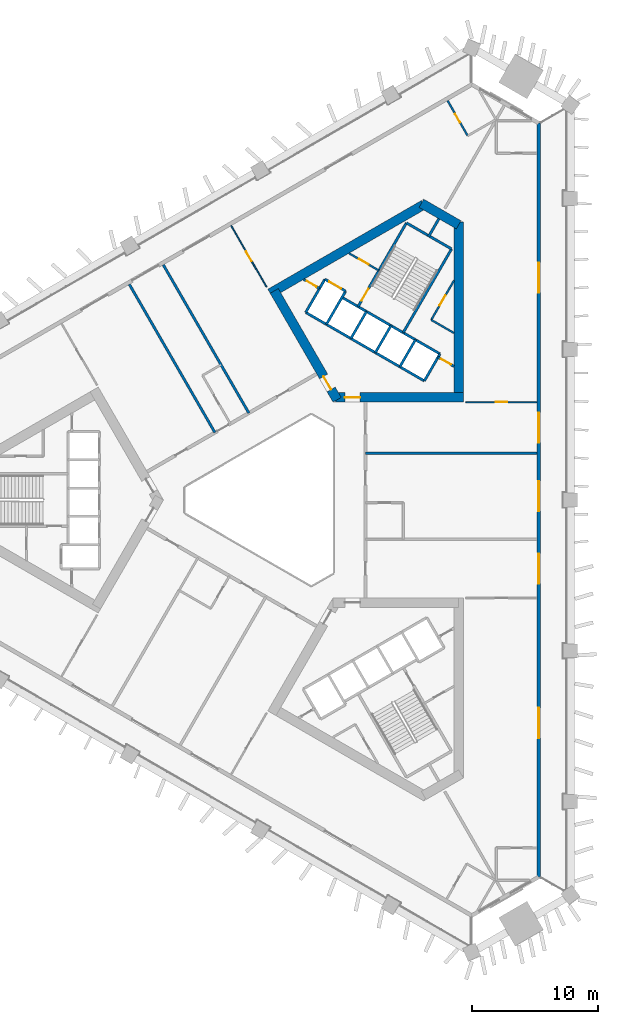
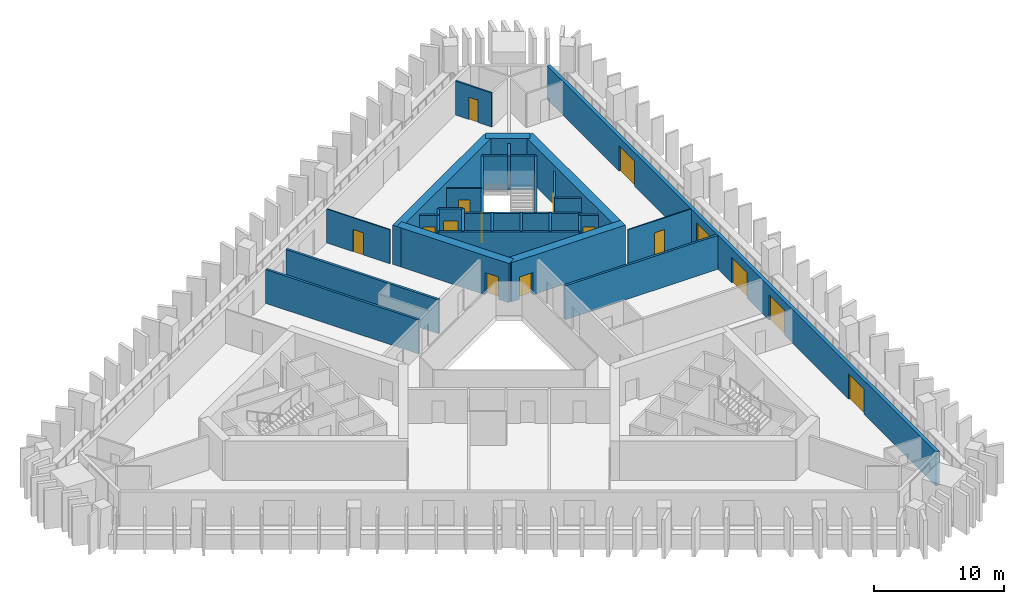
# One storey, part 6 of 11: 30 walls, 16 doors, 16 openings.
"""IFC4 building model written with IfcOpenShell, lengths in metres."""

from ifc_helpers import new_model, si_unit, direction, frame, frame_2d, origin, place, context, subcontext, project, spatial, rectangle, extrude, material, layer, layer_set, type_object, element, fill, save


model = new_model("IFC4")

# Units and contexts
model_context = context("Model", 3, precision=1e-05, world=origin(), true_north=direction((0.0, 1.0)))
body_context = subcontext(model_context, "Body", "Model", "MODEL_VIEW")
ifc_project = project(units=[si_unit("LENGTHUNIT", "METRE"), si_unit("AREAUNIT", "SQUARE_METRE"), si_unit("VOLUMEUNIT", "CUBIC_METRE"), si_unit("PLANEANGLEUNIT", "RADIAN"), si_unit("MASSUNIT", "GRAM", prefix="KILO")], contexts=[model_context])

# Site, building, storey
site_placement = place(None, origin())
site = spatial("IfcSite", under=ifc_project, at=site_placement, CompositionType="ELEMENT")
building_placement = place(site_placement, origin())
building = spatial("IfcBuilding", under=site, at=building_placement, Name="Jabali Bay Hotel Tower and Convention Centre", CompositionType="ELEMENT")
storey_placement = place(building_placement, frame((0.0, 0.0, 61.0)))
storey = spatial("IfcBuildingStorey", under=building, at=storey_placement, Name="L13", CompositionType="ELEMENT", Elevation=61.0)

# Wall
ifc_material_1 = material(Name="Concrete C40", Category="concrete")
ifc_layer_1 = layer(ifc_material_1, 0.199951171875)
ifc_layer_set_1 = layer_set([ifc_layer_1], Name="Concrete C40")
wall_type_1 = type_object("IfcWallType", Name="Core partition wall 200", PredefinedType="PARTITIONING", material=ifc_layer_set_1)
wall_1_placement = place(storey_placement, frame((87.090087890625, 100.9404296875, 0.0), z_axis=(0.0, 0.0, 1.0), x_axis=(0.499937194881, 0.866061661301, 0.0)))
element("IfcWall", 1, at=wall_1_placement, inside=storey, type_object=wall_type_1, Name="Core wall 1.5 L13", PredefinedType="PARTITIONING", context=body_context, shape_type="SweptSolid", body=[
    extrude(rectangle(XDim=1.673095703125, YDim=0.199951171875, at=frame_2d((0.83642578125, 0.0))), origin(), (0.0, 0.0, 1.0), 3.199951171875),
])

# Wall, opening, door
wall_2_placement = place(storey_placement, frame((89.130126953125, 90.640625, 0.0), z_axis=(0.0, 0.0, 1.0), x_axis=(-0.866094119867, 0.499880961361, 0.0)))
wall_2 = element("IfcWall", 2, at=wall_2_placement, inside=storey, type_object=wall_type_1, Name="Core wall 1.11 L13", PredefinedType="PARTITIONING", context=body_context, shape_type="SweptSolid", body=[
    extrude(rectangle(XDim=1.466552734375, YDim=0.199951171875, at=frame_2d((0.7333984375, 0.0))), origin(), (0.0, 0.0, 1.0), 3.199951171875),
])
opening_1_placement = place(wall_2_placement, frame((0.283447265625, 0.0, 0.0)))
opening_1 = element("IfcOpeningElement", 3, at=opening_1_placement, cuts=wall_2, Name="Opening D356", PredefinedType="OPENING", context=body_context, shape_type="SweptSolid", body=[
    extrude(rectangle(XDim=0.89990234375, YDim=2.10009765625, at=frame_2d((0.449951171875, 1.050048828125))), frame((0.0, 0.1103515625, 0.0), z_axis=(0.0, -1.0, 0.0), x_axis=(1.0, 0.0, 0.0)), (0.0, 0.0, 1.0), 0.220947265625),
])
ifc_material_2 = material(Name="Fire-rated steel door", Category="steel")
door_type_1 = type_object("IfcDoorType", Name="Vestibule fire door 900 x 2100", OperationType="NOTDEFINED", PredefinedType="NOTDEFINED", material=ifc_material_2)
door_1_placement = place(opening_1_placement, origin())
door_1 = element("IfcDoor", 4, at=door_1_placement, inside=storey, type_object=door_type_1, Name="Vestibule fire door D356", OperationType="SINGLE_SWING_LEFT", OverallHeight=2.10009765625, OverallWidth=0.89990234375, PredefinedType="NOTDEFINED", context=body_context, shape_type="SweptSolid", body=[
    extrude(rectangle(XDim=0.89990234375, YDim=2.10009765625, at=frame_2d((0.449951171875, 1.050048828125))), frame((0.0, 0.02490234375, 0.0), z_axis=(0.0, -1.0, 0.0), x_axis=(1.0, 0.0, 0.0)), (0.0, 0.0, 1.0), 0.050048828125),
])
fill(opening_1, door_1)

wall_3_placement = place(storey_placement, frame((78.43017578125, 96.84130859375, 0.0), z_axis=(0.0, 0.0, 1.0), x_axis=(-0.866045896294, 0.499964504253, 0.0)))
wall_3 = element("IfcWall", 5, at=wall_3_placement, inside=storey, type_object=wall_type_1, Name="Core wall 1.12 L13", PredefinedType="PARTITIONING", context=body_context, shape_type="SweptSolid", body=[
    extrude(rectangle(XDim=1.455078125, YDim=0.199951171875, at=frame_2d((0.7275390625, 0.0))), origin(), (0.0, 0.0, 1.0), 3.199951171875),
])
opening_2_placement = place(wall_3_placement, frame((0.277587890625, 0.0, 0.0)))
opening_2 = element("IfcOpeningElement", 6, at=opening_2_placement, cuts=wall_3, Name="Opening D355", PredefinedType="OPENING", context=body_context, shape_type="SweptSolid", body=[
    extrude(rectangle(XDim=0.89990234375, YDim=2.10009765625, at=frame_2d((0.449951171875, 1.050048828125))), frame((0.0, 0.1103515625, 0.0), z_axis=(0.0, -1.0, 0.0), x_axis=(1.0, 0.0, 0.0)), (0.0, 0.0, 1.0), 0.220947265625),
])
door_2_placement = place(opening_2_placement, origin())
door_2 = element("IfcDoor", 7, at=door_2_placement, inside=storey, type_object=door_type_1, Name="Vestibule fire door D355", OperationType="SINGLE_SWING_LEFT", OverallHeight=2.10009765625, OverallWidth=0.89990234375, PredefinedType="NOTDEFINED", context=body_context, shape_type="SweptSolid", body=[
    extrude(rectangle(XDim=0.89990234375, YDim=2.10009765625, at=frame_2d((0.449951171875, 1.050048828125))), frame((0.0, 0.02490234375, 0.0), z_axis=(0.0, -1.0, 0.0), x_axis=(1.0, 0.0, 0.0)), (0.0, 0.0, 1.0), 0.050048828125),
])
fill(opening_2, door_2)

ifc_material_3 = material(Name="Fire-rated board partition")
ifc_layer_2 = layer(ifc_material_3, 0.14990234375)
ifc_layer_set_2 = layer_set([ifc_layer_2], Name="Fire-rated board partition")
wall_type_2 = type_object("IfcWallType", Name="Core room partition 150", PredefinedType="PARTITIONING", material=ifc_layer_set_2)
wall_4_placement = place(storey_placement, frame((87.321044921875, 94.3408203125, 0.0), z_axis=(0.0, 0.0, 1.0), x_axis=(0.499993116331, 0.866029378036, 0.0)))
wall_4 = element("IfcWall", 8, at=wall_4_placement, inside=storey, type_object=wall_type_2, Name="Core wall 1.1 L13", PredefinedType="PARTITIONING", context=body_context, shape_type="SweptSolid", body=[
    extrude(rectangle(XDim=3.61767578125, YDim=0.14990234375, at=frame_2d((1.808837890625, 0.0))), origin(), (0.0, 0.0, 1.0), 3.199951171875),
])
opening_3_placement = place(wall_4_placement, frame((1.33154296875, 0.0, 0.0)))
opening_3 = element("IfcOpeningElement", 9, at=opening_3_placement, cuts=wall_4, Name="Opening D358", PredefinedType="OPENING", context=body_context, shape_type="SweptSolid", body=[
    extrude(rectangle(XDim=0.89990234375, YDim=2.10009765625, at=frame_2d((0.449951171875, 1.050048828125))), frame((0.0, 0.08544921875, 0.0), z_axis=(0.0, -1.0, 0.0), x_axis=(1.0, 0.0, 0.0)), (0.0, 0.0, 1.0), 0.1708984375),
])
door_type_2 = type_object("IfcDoorType", Name="Core room door 900 x 2100", OperationType="NOTDEFINED", PredefinedType="NOTDEFINED", material=ifc_material_2)
door_3_placement = place(opening_3_placement, origin())
door_3 = element("IfcDoor", 10, at=door_3_placement, inside=storey, type_object=door_type_2, Name="Core room door D358", OperationType="SINGLE_SWING_LEFT", OverallHeight=2.10009765625, OverallWidth=0.89990234375, PredefinedType="NOTDEFINED", context=body_context, shape_type="SweptSolid", body=[
    extrude(rectangle(XDim=0.89990234375, YDim=2.10009765625, at=frame_2d((0.449951171875, 1.050048828125))), frame((0.0, 0.02490234375, 0.0), z_axis=(0.0, -1.0, 0.0), x_axis=(1.0, 0.0, 0.0)), (0.0, 0.0, 1.0), 0.050048828125),
])
fill(opening_3, door_3)

# Wall
wall_5_placement = place(storey_placement, frame((89.130126953125, 93.29638671875, 0.0), z_axis=(0.0, 0.0, 1.0), x_axis=(-0.866033778982, 0.499985493453, 0.0)))
element("IfcWall", 11, at=wall_5_placement, inside=storey, type_object=wall_type_2, Name="Core wall 1.15 L13", PredefinedType="PARTITIONING", context=body_context, shape_type="SweptSolid", body=[
    extrude(rectangle(XDim=2.0888671875, YDim=0.14990234375, at=frame_2d((1.04443359375, 0.0))), origin(), (0.0, 0.0, 1.0), 3.199951171875),
])

# Wall, opening, door
wall_6_placement = place(storey_placement, frame((83.153076171875, 98.271484375, 0.0), z_axis=(0.0, 0.0, 1.0), x_axis=(-0.866045226484, 0.499965664505, 0.0)))
wall_6 = element("IfcWall", 12, at=wall_6_placement, inside=storey, type_object=wall_type_2, Name="Core wall 1.16 L13", PredefinedType="PARTITIONING", context=body_context, shape_type="SweptSolid", body=[
    extrude(rectangle(XDim=2.751708984375, YDim=0.14990234375, at=frame_2d((1.3759765625, 0.0))), origin(), (0.0, 0.0, 1.0), 3.199951171875),
])
opening_4_placement = place(wall_6_placement, frame((0.92578125, 0.0, 0.0)))
opening_4 = element("IfcOpeningElement", 13, at=opening_4_placement, cuts=wall_6, Name="Opening D354", PredefinedType="OPENING", context=body_context, shape_type="SweptSolid", body=[
    extrude(rectangle(XDim=0.89990234375, YDim=2.10009765625, at=frame_2d((0.449951171875, 1.050048828125))), frame((0.0, 0.08544921875, 0.0), z_axis=(0.0, -1.0, 0.0), x_axis=(1.0, 0.0, 0.0)), (0.0, 0.0, 1.0), 0.1708984375),
])
door_4_placement = place(opening_4_placement, origin())
door_4 = element("IfcDoor", 14, at=door_4_placement, inside=storey, type_object=door_type_2, Name="Core room door D354", OperationType="SINGLE_SWING_LEFT", OverallHeight=2.10009765625, OverallWidth=0.89990234375, PredefinedType="NOTDEFINED", context=body_context, shape_type="SweptSolid", body=[
    extrude(rectangle(XDim=0.89990234375, YDim=2.10009765625, at=frame_2d((0.449951171875, 1.050048828125))), frame((0.0, 0.02490234375, 0.0), z_axis=(0.0, -1.0, 0.0), x_axis=(1.0, 0.0, 0.0)), (0.0, 0.0, 1.0), 0.050048828125),
])
fill(opening_4, door_4)

# Walls
ifc_layer_3 = layer(ifc_material_1, 0.199951171875)
ifc_layer_set_3 = layer_set([ifc_layer_3], Name="Concrete C40")
wall_type_3 = type_object("IfcWallType", Name="Core stair wall 200", PredefinedType="SOLIDWALL", material=ifc_layer_set_3)
for number, where, z_axis, x_axis, name in (
    (15, (86.769775390625, 89.48583984375, 0.0), (0.0, 0.0, 1.0), (0.499961042966, 0.86604789447, 0.0), "Core wall 1.0 L13"),
    (16, (84.8212890625, 90.61083984375, 0.0), (0.0, 0.0, 1.0), (0.499961042966, 0.86604789447, 0.0), "Core wall 1.2 L13"),
):
    element("IfcWall", number, at=place(storey_placement, frame(where, z_axis=z_axis, x_axis=x_axis)), inside=storey, type_object=wall_type_3, Name=name, PredefinedType="SOLIDWALL", context=body_context, shape_type="SweptSolid", body=[
        extrude(rectangle(XDim=2.480224609375, YDim=0.199951171875, at=frame_2d((1.240234375, 0.0))), origin(), (0.0, 0.0, 1.0), 3.199951171875),
    ])
wall_7_placement = place(storey_placement, frame((85.0869140625, 93.3212890625, 0.0), z_axis=(0.0, 0.0, 1.0), x_axis=(0.500019787375, 0.866013979237, 0.0)))
element("IfcWall", 17, at=wall_7_placement, inside=storey, type_object=wall_type_3, Name="Core wall 1.3 L13", PredefinedType="SOLIDWALL", context=body_context, shape_type="SweptSolid", body=[
    extrude(rectangle(XDim=7.699951171875, YDim=0.199951171875, at=frame_2d((3.85009765625, 0.0))), origin(), (0.0, 0.0, 1.0), 3.199951171875),
])
for number, where, z_axis, x_axis, name in (
    (18, (82.872802734375, 91.73583984375, 0.0), (0.0, 0.0, 1.0), (0.499961042966, 0.86604789447, 0.0), "Core wall 1.4 L13"),
    (19, (80.924072265625, 92.86083984375, 0.0), (0.0, 0.0, 1.0), (0.499961042966, 0.86604789447, 0.0), "Core wall 1.6 L13"),
):
    element("IfcWall", number, at=place(storey_placement, frame(where, z_axis=z_axis, x_axis=x_axis)), inside=storey, type_object=wall_type_3, Name=name, PredefinedType="SOLIDWALL", context=body_context, shape_type="SweptSolid", body=[
        extrude(rectangle(XDim=2.480224609375, YDim=0.199951171875, at=frame_2d((1.240234375, 0.0))), origin(), (0.0, 0.0, 1.0), 3.199951171875),
    ])

# Wall, opening, door
wall_8_placement = place(storey_placement, frame((81.492919921875, 95.396240234375, 0.0), z_axis=(0.0, 0.0, 1.0), x_axis=(0.500006057782, 0.866021906294, 0.0)))
wall_8 = element("IfcWall", 20, at=wall_8_placement, inside=storey, type_object=wall_type_3, Name="Core wall 1.7 L13", PredefinedType="SOLIDWALL", context=body_context, shape_type="SweptSolid", body=[
    extrude(rectangle(XDim=7.7001953125, YDim=0.199951171875, at=frame_2d((3.85009765625, 0.0))), origin(), (0.0, 0.0, 1.0), 3.199951171875),
])
opening_5_placement = place(wall_8_placement, frame((0.550048828125, 0.0, 0.0)))
opening_5 = element("IfcOpeningElement", 21, at=opening_5_placement, cuts=wall_8, Name="Opening D357", PredefinedType="OPENING", context=body_context, shape_type="SweptSolid", body=[
    extrude(rectangle(XDim=1.10009765625, YDim=2.10009765625, at=frame_2d((0.550048828125, 1.050048828125))), frame((0.0, 0.1103515625, 0.0), z_axis=(0.0, -1.0, 0.0), x_axis=(1.0, 0.0, 0.0)), (0.0, 0.0, 1.0), 0.220947265625),
])
door_type_3 = type_object("IfcDoorType", Name="Stair fire door 1100 x 2100", OperationType="NOTDEFINED", PredefinedType="NOTDEFINED", material=ifc_material_2)
door_5_placement = place(opening_5_placement, origin())
door_5 = element("IfcDoor", 22, at=door_5_placement, inside=storey, type_object=door_type_3, Name="Stair fire door D357", OperationType="SINGLE_SWING_RIGHT", OverallHeight=2.10009765625, OverallWidth=1.10009765625, PredefinedType="NOTDEFINED", context=body_context, shape_type="SweptSolid", body=[
    extrude(rectangle(XDim=1.10009765625, YDim=2.10009765625, at=frame_2d((0.550048828125, 1.050048828125))), frame((0.0, 0.02490234375, 0.0), z_axis=(0.0, -1.0, 0.0), x_axis=(1.0, 0.0, 0.0)), (0.0, 0.0, 1.0), 0.050048828125),
])
fill(opening_5, door_5)

# Walls
for number, where, z_axis, x_axis, name in (
    (23, (78.9755859375, 93.98583984375, 0.0), (0.0, 0.0, 1.0), (0.499944174705, 0.866057632134, 0.0), "Core wall 1.8 L13"),
    (24, (77.330078125, 94.93603515625, 0.0), (0.0, 0.0, 1.0), (0.500038867431, 0.8660029625, 0.0), "Core wall 1.9 L13"),
):
    element("IfcWall", number, at=place(storey_placement, frame(where, z_axis=z_axis, x_axis=x_axis)), inside=storey, type_object=wall_type_3, Name=name, PredefinedType="SOLIDWALL", context=body_context, shape_type="SweptSolid", body=[
        extrude(rectangle(XDim=3.050048828125, YDim=0.199951171875, at=frame_2d((1.52490234375, 0.0))), origin(), (0.0, 0.0, 1.0), 3.199951171875),
    ])
wall_9_placement = place(storey_placement, frame((86.769775390625, 89.48583984375, 0.0), z_axis=(0.0, 0.0, 1.0), x_axis=(-0.86601811187, 0.500012629753, 0.0)))
element("IfcWall", 25, at=wall_9_placement, inside=storey, type_object=wall_type_3, Name="Core wall 1.10 L13", PredefinedType="SOLIDWALL", context=body_context, shape_type="SweptSolid", body=[
    extrude(rectangle(XDim=10.900146484375, YDim=0.199951171875, at=frame_2d((5.4501953125, 0.0))), origin(), (0.0, 0.0, 1.0), 3.199951171875),
])
wall_10_placement = place(storey_placement, frame((88.009765625, 91.6337890625, 0.0), z_axis=(0.0, 0.0, 1.0), x_axis=(-0.866024315419, 0.5000018851, 0.0)))
element("IfcWall", 26, at=wall_10_placement, inside=storey, type_object=wall_type_3, Name="Core wall 1.13 L13", PredefinedType="SOLIDWALL", context=body_context, shape_type="SweptSolid", body=[
    extrude(rectangle(XDim=9.0, YDim=0.199951171875, at=frame_2d((4.5, 0.0))), origin(), (0.0, 0.0, 1.0), 3.199951171875),
])

# Wall, opening, door
wall_11_placement = place(storey_placement, frame((80.50048828125, 96.62744140625, 0.0), z_axis=(0.0, 0.0, 1.0), x_axis=(-0.86601224135, 0.500022797313, 0.0)))
wall_11 = element("IfcWall", 27, at=wall_11_placement, inside=storey, type_object=wall_type_3, Name="Core wall 1.14 L13", PredefinedType="SOLIDWALL", context=body_context, shape_type="SweptSolid", body=[
    extrude(rectangle(XDim=1.89990234375, YDim=0.199951171875, at=frame_2d((0.949951171875, 0.0))), origin(), (0.0, 0.0, 1.0), 3.199951171875),
])
opening_6_placement = place(wall_11_placement, frame((0.39990234375, 0.0, 0.0)))
opening_6 = element("IfcOpeningElement", 28, at=opening_6_placement, cuts=wall_11, Name="Opening LD10-L13", PredefinedType="OPENING", context=body_context, shape_type="SweptSolid", body=[
    extrude(rectangle(XDim=1.10009765625, YDim=2.10009765625, at=frame_2d((0.550048828125, 1.050048828125))), frame((0.0, 0.1103515625, 0.0), z_axis=(0.0, -1.0, 0.0), x_axis=(1.0, 0.0, 0.0)), (0.0, 0.0, 1.0), 0.220947265625),
])
ifc_material_4 = material(Name="Stainless steel landing door", Category="steel")
door_type_4 = type_object("IfcDoorType", Name="Landing door 1100 x 2100", OperationType="NOTDEFINED", PredefinedType="NOTDEFINED", material=ifc_material_4)
door_6_placement = place(opening_6_placement, origin())
door_6 = element("IfcDoor", 29, at=door_6_placement, inside=storey, type_object=door_type_4, Name="Landing doors LD10-L13", OperationType="SLIDING_TO_RIGHT", OverallHeight=2.10009765625, OverallWidth=1.10009765625, PredefinedType="NOTDEFINED", context=body_context, shape_type="SweptSolid", body=[
    extrude(rectangle(XDim=1.10009765625, YDim=2.10009765625, at=frame_2d((0.550048828125, 1.050048828125))), frame((0.0, 0.02490234375, 0.0), z_axis=(0.0, -1.0, 0.0), x_axis=(1.0, 0.0, 0.0)), (0.0, 0.0, 1.0), 0.050048828125),
])
fill(opening_6, door_6)

# Wall
wall_12_placement = place(storey_placement, frame((88.93701171875, 99.989501953125, 0.0), z_axis=(0.0, 0.0, 1.0), x_axis=(-0.866004344652, 0.500036473714, 0.0)))
element("IfcWall", 30, at=wall_12_placement, inside=storey, type_object=wall_type_3, Name="Core wall 1.17 L13", PredefinedType="SOLIDWALL", context=body_context, shape_type="SweptSolid", body=[
    extrude(rectangle(XDim=4.150146484375, YDim=0.199951171875, at=frame_2d((2.0751953125, 0.0))), origin(), (0.0, 0.0, 1.0), 3.199951171875),
])

# Wall, opening, door
ifc_material_5 = material(Name="Concrete C60", Category="concrete")
ifc_layer_4 = layer(ifc_material_5, 0.75)
ifc_layer_set_4 = layer_set([ifc_layer_4], Name="Concrete C60")
wall_type_4 = type_object("IfcWallType", Name="Core wall 750", PredefinedType="SHEAR", material=ifc_layer_set_4)
wall_13_placement = place(storey_placement, frame((79.716552734375, 88.169189453125, 0.0), z_axis=(0.0, 0.0, 1.0), x_axis=(1.0, 0.0, 0.0)))
wall_13 = element("IfcWall", 31, at=wall_13_placement, inside=storey, type_object=wall_type_4, Name="Core wall 2.1 L13", PredefinedType="SHEAR", context=body_context, shape_type="SweptSolid", body=[
    extrude(rectangle(XDim=10.163330078125, YDim=0.75, at=frame_2d((5.08154296875, 0.0))), origin(), (0.0, 0.0, 1.0), 3.699951171875),
])
opening_7_placement = place(wall_13_placement, frame((0.7333984375, 0.0, 0.0)))
opening_7 = element("IfcOpeningElement", 32, at=opening_7_placement, cuts=wall_13, Name="Opening D352", PredefinedType="OPENING", context=body_context, shape_type="SweptSolid", body=[
    extrude(rectangle(XDim=1.199951171875, YDim=2.10009765625, at=frame_2d((0.60009765625, 1.050048828125))), frame((0.0, 0.385498046875, 0.0), z_axis=(0.0, -1.0, 0.0), x_axis=(1.0, 0.0, 0.0)), (0.0, 0.0, 1.0), 0.77099609375),
])
door_type_5 = type_object("IfcDoorType", Name="Corridor end fire door 1200 x 2100", OperationType="NOTDEFINED", PredefinedType="NOTDEFINED", material=ifc_material_2)
door_7_placement = place(opening_7_placement, origin())
door_7 = element("IfcDoor", 33, at=door_7_placement, inside=storey, type_object=door_type_5, Name="Corridor end fire door D352", OperationType="SINGLE_SWING_RIGHT", OverallHeight=2.10009765625, OverallWidth=1.199951171875, PredefinedType="NOTDEFINED", context=body_context, shape_type="SweptSolid", body=[
    extrude(rectangle(XDim=1.199951171875, YDim=2.10009765625, at=frame_2d((0.60009765625, 1.050048828125))), frame((0.0, 0.02490234375, 0.0), z_axis=(0.0, -1.0, 0.0), x_axis=(1.0, 0.0, 0.0)), (0.0, 0.0, 1.0), 0.050048828125),
])
fill(opening_7, door_7)

# Walls
wall_14_placement = place(storey_placement, frame((89.5048828125, 88.169189453125, 0.0), z_axis=(0.0, 0.0, 1.0), x_axis=(0.0, 1.0, 0.0)))
element("IfcWall", 34, at=wall_14_placement, inside=storey, type_object=wall_type_4, Name="Core wall 2.2 L13", PredefinedType="SHEAR", context=body_context, shape_type="SweptSolid", body=[
    extrude(rectangle(XDim=13.95849609375, YDim=0.75, at=frame_2d((6.979248046875, 0.0))), origin(), (0.0, 0.0, 1.0), 3.699951171875),
])
wall_15_placement = place(storey_placement, frame((89.5048828125, 101.9111328125, 0.0), z_axis=(0.0, 0.0, 1.0), x_axis=(-0.866017201164, 0.500014207086, 0.0)))
element("IfcWall", 35, at=wall_15_placement, inside=storey, type_object=wall_type_4, Name="Core wall 2.3 L13", PredefinedType="SHEAR", context=body_context, shape_type="SweptSolid", body=[
    extrude(rectangle(XDim=3.4287109375, YDim=0.75, at=frame_2d((1.71435546875, 0.0))), origin(), (0.0, 0.0, 1.0), 3.699951171875),
])
wall_16_placement = place(storey_placement, frame((86.72314453125, 103.517333984375, 0.0), z_axis=(0.0, 0.0, 1.0), x_axis=(-0.866020851292, -0.500007885066, 0.0)))
element("IfcWall", 36, at=wall_16_placement, inside=storey, type_object=wall_type_4, Name="Core wall 2.4 L13", PredefinedType="SHEAR", context=body_context, shape_type="SweptSolid", body=[
    extrude(rectangle(XDim=14.116943359375, YDim=0.75, at=frame_2d((7.05859375, 0.0))), origin(), (0.0, 0.0, 1.0), 3.699951171875),
])

# Wall, opening, door
wall_17_placement = place(storey_placement, frame((74.822265625, 96.646240234375, 0.0), z_axis=(0.0, 0.0, 1.0), x_axis=(0.499997052475, -0.866027105532, 0.0)))
wall_17 = element("IfcWall", 37, at=wall_17_placement, inside=storey, type_object=wall_type_4, Name="Core wall 2.5 L13", PredefinedType="SHEAR", context=body_context, shape_type="SweptSolid", body=[
    extrude(rectangle(XDim=10.0048828125, YDim=0.75, at=frame_2d((5.00244140625, 0.0))), origin(), (0.0, 0.0, 1.0), 3.699951171875),
])
opening_8_placement = place(wall_17_placement, frame((7.85498046875, 0.0, 0.0)))
opening_8 = element("IfcOpeningElement", 38, at=opening_8_placement, cuts=wall_17, Name="Opening D353", PredefinedType="OPENING", context=body_context, shape_type="SweptSolid", body=[
    extrude(rectangle(XDim=1.199951171875, YDim=2.10009765625, at=frame_2d((0.60009765625, 1.050048828125))), frame((0.0, 0.385498046875, 0.0), z_axis=(0.0, -1.0, 0.0), x_axis=(1.0, 0.0, 0.0)), (0.0, 0.0, 1.0), 0.77099609375),
])
door_8_placement = place(opening_8_placement, origin())
door_8 = element("IfcDoor", 39, at=door_8_placement, inside=storey, type_object=door_type_5, Name="Corridor end fire door D353", OperationType="SINGLE_SWING_LEFT", OverallHeight=2.10009765625, OverallWidth=1.199951171875, PredefinedType="NOTDEFINED", context=body_context, shape_type="SweptSolid", body=[
    extrude(rectangle(XDim=1.199951171875, YDim=2.10009765625, at=frame_2d((0.60009765625, 1.050048828125))), frame((0.0, 0.02490234375, 0.0), z_axis=(0.0, -1.0, 0.0), x_axis=(1.0, 0.0, 0.0)), (0.0, 0.0, 1.0), 0.050048828125),
])
fill(opening_8, door_8)

# Wall, openings, doors
ifc_layer_5 = layer(ifc_material_1, 0.300048828125)
ifc_layer_set_5 = layer_set([ifc_layer_5], Name="Concrete C40")
wall_type_5 = type_object("IfcWallType", Name="External wall 300", PredefinedType="SOLIDWALL", material=ifc_layer_set_5)
wall_18_placement = place(storey_placement, frame((95.8740234375, 110.0126953125, 0.0), z_axis=(0.0, 0.0, 1.0), x_axis=(0.0, -1.0, 0.0)))
wall_18 = element("IfcWall", 40, at=wall_18_placement, inside=storey, type_object=wall_type_5, Name="External wall east face L13", PredefinedType="SOLIDWALL", context=body_context, shape_type="SweptSolid", body=[
    extrude(rectangle(XDim=60.025390625, YDim=0.300048828125, at=frame_2d((30.0126953125, 0.0))), origin(), (0.0, 0.0, 1.0), 3.199951171875),
])
opening_9_placement = place(wall_18_placement, frame((28.5009765625, 0.0, 0.0)))
opening_9 = element("IfcOpeningElement", 41, at=opening_9_placement, cuts=wall_18, Name="Opening SD1", PredefinedType="OPENING", context=body_context, shape_type="SweptSolid", body=[
    extrude(rectangle(XDim=2.39990234375, YDim=2.39990234375, at=frame_2d((1.199951171875, 1.199951171875))), frame((0.0, 0.16064453125, 0.0), z_axis=(0.0, -1.0, 0.0), x_axis=(1.0, 0.0, 0.0)), (0.0, 0.0, 1.0), 0.321044921875),
])
opening_10_placement = place(wall_18_placement, frame((34.2685546875, 0.0, 0.0)))
opening_10 = element("IfcOpeningElement", 42, at=opening_10_placement, cuts=wall_18, Name="Opening SD1", PredefinedType="OPENING", context=body_context, shape_type="SweptSolid", body=[
    extrude(rectangle(XDim=2.39990234375, YDim=2.39990234375, at=frame_2d((1.199951171875, 1.199951171875))), frame((0.0, 0.16064453125, 0.0), z_axis=(0.0, -1.0, 0.0), x_axis=(1.0, 0.0, 0.0)), (0.0, 0.0, 1.0), 0.321044921875),
])
opening_11_placement = place(wall_18_placement, frame((46.557861328125, 0.0, 0.0)))
opening_11 = element("IfcOpeningElement", 43, at=opening_11_placement, cuts=wall_18, Name="Opening SD1", PredefinedType="OPENING", context=body_context, shape_type="SweptSolid", body=[
    extrude(rectangle(XDim=2.39990234375, YDim=2.39990234375, at=frame_2d((1.199951171875, 1.199951171875))), frame((0.0, 0.16064453125, 0.0), z_axis=(0.0, -1.0, 0.0), x_axis=(1.0, 0.0, 0.0)), (0.0, 0.0, 1.0), 0.321044921875),
])
opening_12_placement = place(wall_18_placement, frame((23.044921875, 0.0, 0.0)))
opening_12 = element("IfcOpeningElement", 44, at=opening_12_placement, cuts=wall_18, Name="Opening SD1", PredefinedType="OPENING", context=body_context, shape_type="SweptSolid", body=[
    extrude(rectangle(XDim=2.39990234375, YDim=2.39990234375, at=frame_2d((1.199951171875, 1.199951171875))), frame((0.0, 0.16064453125, 0.0), z_axis=(0.0, -1.0, 0.0), x_axis=(1.0, 0.0, 0.0)), (0.0, 0.0, 1.0), 0.321044921875),
])
opening_13_placement = place(wall_18_placement, frame((11.109375, 0.0, 0.0)))
opening_13 = element("IfcOpeningElement", 45, at=opening_13_placement, cuts=wall_18, Name="Opening SD1", PredefinedType="OPENING", context=body_context, shape_type="SweptSolid", body=[
    extrude(rectangle(XDim=2.39990234375, YDim=2.39990234375, at=frame_2d((1.199951171875, 1.199951171875))), frame((0.0, 0.16064453125, 0.0), z_axis=(0.0, -1.0, 0.0), x_axis=(1.0, 0.0, 0.0)), (0.0, 0.0, 1.0), 0.321044921875),
])
ifc_material_6 = material(Name="Glass", Category="glass")
door_type_6 = type_object("IfcDoorType", Name="Loggia sliding door 2400 x 2400", OperationType="NOTDEFINED", PredefinedType="NOTDEFINED", material=ifc_material_6)
door_9_placement = place(opening_9_placement, origin())
door_9 = element("IfcDoor", 46, at=door_9_placement, inside=storey, type_object=door_type_6, Name="Loggia sliding door 1302", OperationType="SLIDING_TO_LEFT", OverallHeight=2.39990234375, OverallWidth=2.39990234375, PredefinedType="NOTDEFINED", context=body_context, shape_type="SweptSolid", body=[
    extrude(rectangle(XDim=2.39990234375, YDim=2.39990234375, at=frame_2d((1.199951171875, 1.199951171875))), frame((0.0, 0.02490234375, 0.0), z_axis=(0.0, -1.0, 0.0), x_axis=(1.0, 0.0, 0.0)), (0.0, 0.0, 1.0), 0.050048828125),
])
fill(opening_9, door_9)
door_10_placement = place(opening_10_placement, origin())
door_10 = element("IfcDoor", 47, at=door_10_placement, inside=storey, type_object=door_type_6, Name="Loggia sliding door 1301", OperationType="SLIDING_TO_RIGHT", OverallHeight=2.39990234375, OverallWidth=2.39990234375, PredefinedType="NOTDEFINED", context=body_context, shape_type="SweptSolid", body=[
    extrude(rectangle(XDim=2.39990234375, YDim=2.39990234375, at=frame_2d((1.199951171875, 1.199951171875))), frame((0.0, 0.02490234375, 0.0), z_axis=(0.0, -1.0, 0.0), x_axis=(1.0, 0.0, 0.0)), (0.0, 0.0, 1.0), 0.050048828125),
])
fill(opening_10, door_10)
door_11_placement = place(opening_11_placement, origin())
door_11 = element("IfcDoor", 48, at=door_11_placement, inside=storey, type_object=door_type_6, Name="Loggia sliding door 1301", OperationType="SLIDING_TO_LEFT", OverallHeight=2.39990234375, OverallWidth=2.39990234375, PredefinedType="NOTDEFINED", context=body_context, shape_type="SweptSolid", body=[
    extrude(rectangle(XDim=2.39990234375, YDim=2.39990234375, at=frame_2d((1.199951171875, 1.199951171875))), frame((0.0, 0.02490234375, 0.0), z_axis=(0.0, -1.0, 0.0), x_axis=(1.0, 0.0, 0.0)), (0.0, 0.0, 1.0), 0.050048828125),
])
fill(opening_11, door_11)
door_12_placement = place(opening_12_placement, origin())
door_12 = element("IfcDoor", 49, at=door_12_placement, inside=storey, type_object=door_type_6, Name="Loggia sliding door 1303", OperationType="SLIDING_TO_RIGHT", OverallHeight=2.39990234375, OverallWidth=2.39990234375, PredefinedType="NOTDEFINED", context=body_context, shape_type="SweptSolid", body=[
    extrude(rectangle(XDim=2.39990234375, YDim=2.39990234375, at=frame_2d((1.199951171875, 1.199951171875))), frame((0.0, 0.02490234375, 0.0), z_axis=(0.0, -1.0, 0.0), x_axis=(1.0, 0.0, 0.0)), (0.0, 0.0, 1.0), 0.050048828125),
])
fill(opening_12, door_12)
door_13_placement = place(opening_13_placement, origin())
door_13 = element("IfcDoor", 50, at=door_13_placement, inside=storey, type_object=door_type_6, Name="Loggia sliding door 1303", OperationType="SLIDING_TO_LEFT", OverallHeight=2.39990234375, OverallWidth=2.39990234375, PredefinedType="NOTDEFINED", context=body_context, shape_type="SweptSolid", body=[
    extrude(rectangle(XDim=2.39990234375, YDim=2.39990234375, at=frame_2d((1.199951171875, 1.199951171875))), frame((0.0, 0.02490234375, 0.0), z_axis=(0.0, -1.0, 0.0), x_axis=(1.0, 0.0, 0.0)), (0.0, 0.0, 1.0), 0.050048828125),
])
fill(opening_13, door_13)

# Wall, opening, door
ifc_material_7 = material(Name="Plasterboard on steel stud", Category="steel")
ifc_layer_6 = layer(ifc_material_7, 0.10009765625)
ifc_layer_set_6 = layer_set([ifc_layer_6], Name="Plasterboard on steel stud")
wall_type_6 = type_object("IfcWallType", Name="Partition 100 unit", PredefinedType="PARTITIONING", material=ifc_layer_set_6)
wall_19_placement = place(storey_placement, frame((95.72509765625, 87.794189453125, 0.0), z_axis=(0.0, 0.0, 1.0), x_axis=(-1.0, 0.0, 0.0)))
wall_19 = element("IfcWall", 51, at=wall_19_placement, inside=storey, type_object=wall_type_6, Name="Partition P02 L13 011", PredefinedType="PARTITIONING", context=body_context, shape_type="SweptSolid", body=[
    extrude(rectangle(XDim=5.64599609375, YDim=0.10009765625, at=frame_2d((2.822998046875, 0.0))), origin(), (0.0, 0.0, 1.0), 3.199951171875),
])
opening_14_placement = place(wall_19_placement, frame((2.373046875, 0.0, 0.0)))
opening_14 = element("IfcOpeningElement", 52, at=opening_14_placement, cuts=wall_19, Name="Opening 1307", PredefinedType="OPENING", context=body_context, shape_type="SweptSolid", body=[
    extrude(rectangle(XDim=0.89990234375, YDim=2.10009765625, at=frame_2d((0.449951171875, 1.050048828125))), frame((0.0, 0.060546875, 0.0), z_axis=(0.0, -1.0, 0.0), x_axis=(1.0, 0.0, 0.0)), (0.0, 0.0, 1.0), 0.12109375),
])
ifc_material_8 = material(Name="Timber", Category="wood")
door_type_7 = type_object("IfcDoorType", Name="Internal door 900 x 2100", OperationType="NOTDEFINED", PredefinedType="NOTDEFINED", material=ifc_material_8)
door_14_placement = place(opening_14_placement, origin())
door_14 = element("IfcDoor", 53, at=door_14_placement, inside=storey, type_object=door_type_7, Name="Door 1307", OperationType="SINGLE_SWING_LEFT", OverallHeight=2.10009765625, OverallWidth=0.89990234375, PredefinedType="NOTDEFINED", context=body_context, shape_type="SweptSolid", body=[
    extrude(rectangle(XDim=0.89990234375, YDim=2.10009765625, at=frame_2d((0.449951171875, 1.050048828125))), frame((0.0, 0.02490234375, 0.0), z_axis=(0.0, -1.0, 0.0), x_axis=(1.0, 0.0, 0.0)), (0.0, 0.0, 1.0), 0.050048828125),
])
fill(opening_14, door_14)

wall_20_placement = place(storey_placement, frame((74.21044921875, 96.955810546875, 0.0), z_axis=(0.0, 0.0, 1.0), x_axis=(-0.499975725007, 0.866039418504, 0.0)))
wall_20 = element("IfcWall", 54, at=wall_20_placement, inside=storey, type_object=wall_type_6, Name="Partition P02 L13 016", PredefinedType="PARTITIONING", context=body_context, shape_type="SweptSolid", body=[
    extrude(rectangle(XDim=5.646240234375, YDim=0.10009765625, at=frame_2d((2.8232421875, 0.0))), origin(), (0.0, 0.0, 1.0), 3.199951171875),
])
opening_15_placement = place(wall_20_placement, frame((2.373046875, 0.0, 0.0)))
opening_15 = element("IfcOpeningElement", 55, at=opening_15_placement, cuts=wall_20, Name="Opening 1310", PredefinedType="OPENING", context=body_context, shape_type="SweptSolid", body=[
    extrude(rectangle(XDim=0.89990234375, YDim=2.10009765625, at=frame_2d((0.449951171875, 1.050048828125))), frame((0.0, 0.060546875, 0.0), z_axis=(0.0, -1.0, 0.0), x_axis=(1.0, 0.0, 0.0)), (0.0, 0.0, 1.0), 0.12109375),
])
door_15_placement = place(opening_15_placement, origin())
door_15 = element("IfcDoor", 56, at=door_15_placement, inside=storey, type_object=door_type_7, Name="Door 1310", OperationType="SINGLE_SWING_LEFT", OverallHeight=2.10009765625, OverallWidth=0.89990234375, PredefinedType="NOTDEFINED", context=body_context, shape_type="SweptSolid", body=[
    extrude(rectangle(XDim=0.89990234375, YDim=2.10009765625, at=frame_2d((0.449951171875, 1.050048828125))), frame((0.0, 0.02490234375, 0.0), z_axis=(0.0, -1.0, 0.0), x_axis=(1.0, 0.0, 0.0)), (0.0, 0.0, 1.0), 0.050048828125),
])
fill(opening_15, door_15)

ifc_layer_7 = layer(ifc_material_7, 0.14990234375)
ifc_layer_set_7 = layer_set([ifc_layer_7], Name="Plasterboard on steel stud")
wall_type_7 = type_object("IfcWallType", Name="Partition 150 wet", PredefinedType="PARTITIONING", material=ifc_layer_set_7)
wall_21_placement = place(storey_placement, frame((90.21923828125, 108.995849609375, 0.0), z_axis=(0.0, 0.0, 1.0), x_axis=(-0.494906924665, 0.86894599137, 0.0)))
wall_21 = element("IfcWall", 57, at=wall_21_placement, inside=storey, type_object=wall_type_7, Name="Partition P03 L13 020", PredefinedType="PARTITIONING", context=body_context, shape_type="SweptSolid", body=[
    extrude(rectangle(XDim=3.223876953125, YDim=0.14990234375, at=frame_2d((1.61181640625, 0.0))), origin(), (0.0, 0.0, 1.0), 3.199951171875),
])
opening_16_placement = place(wall_21_placement, frame((1.2119140625, 0.0, 0.0)))
opening_16 = element("IfcOpeningElement", 58, at=opening_16_placement, cuts=wall_21, Name="Opening 1311", PredefinedType="OPENING", context=body_context, shape_type="SweptSolid", body=[
    extrude(rectangle(XDim=0.800048828125, YDim=2.10009765625, at=frame_2d((0.39990234375, 1.050048828125))), frame((0.0, 0.08544921875, 0.0), z_axis=(0.0, -1.0, 0.0), x_axis=(1.0, 0.0, 0.0)), (0.0, 0.0, 1.0), 0.1708984375),
])
door_type_8 = type_object("IfcDoorType", Name="En-suite door 800 x 2100", OperationType="NOTDEFINED", PredefinedType="NOTDEFINED", material=ifc_material_8)
door_16_placement = place(opening_16_placement, origin())
door_16 = element("IfcDoor", 59, at=door_16_placement, inside=storey, type_object=door_type_8, Name="Door 1311", OperationType="SINGLE_SWING_LEFT", OverallHeight=2.10009765625, OverallWidth=0.800048828125, PredefinedType="NOTDEFINED", context=body_context, shape_type="SweptSolid", body=[
    extrude(rectangle(XDim=0.800048828125, YDim=2.10009765625, at=frame_2d((0.39990234375, 1.050048828125))), frame((0.0, 0.02490234375, 0.0), z_axis=(0.0, -1.0, 0.0), x_axis=(1.0, 0.0, 0.0)), (0.0, 0.0, 1.0), 0.050048828125),
])
fill(opening_16, door_16)

# Walls
ifc_layer_8 = layer(ifc_material_7, 0.199951171875)
ifc_layer_set_8 = layer_set([ifc_layer_8], Name="Plasterboard on steel stud")
wall_type_8 = type_object("IfcWallType", Name="Partition 200 party", PredefinedType="PARTITIONING", material=ifc_layer_set_8)
wall_22_placement = place(storey_placement, frame((95.72509765625, 83.7412109375, 0.0), z_axis=(0.0, 0.0, 1.0), x_axis=(-1.0, 0.0, 0.0)))
element("IfcWall", 60, at=wall_22_placement, inside=storey, type_object=wall_type_8, Name="Partition P01 L13 010", PredefinedType="PARTITIONING", context=body_context, shape_type="SweptSolid", body=[
    extrude(rectangle(XDim=13.625, YDim=0.199951171875, at=frame_2d((6.8125, 0.0))), origin(), (0.0, 0.0, 1.0), 3.199951171875),
])
for number, where, z_axis, x_axis, name in (
    (61, (65.987548828125, 98.72802734375, 0.0), (0.0, 0.0, 1.0), (0.49999337185, -0.866029230515, 0.0), "Partition P01 L13 017"),
    (62, (63.287353515625, 97.169189453125, 0.0), (0.0, 0.0, 1.0), (0.500006810544, -0.866021471679, 0.0), "Partition P01 L13 023"),
):
    element("IfcWall", number, at=place(storey_placement, frame(where, z_axis=z_axis, x_axis=x_axis)), inside=storey, type_object=wall_type_8, Name=name, PredefinedType="PARTITIONING", context=body_context, shape_type="SweptSolid", body=[
        extrude(rectangle(XDim=13.625244140625, YDim=0.199951171875, at=frame_2d((6.8125, 0.0))), origin(), (0.0, 0.0, 1.0), 3.199951171875),
    ])

save(model, "model.ifc")
